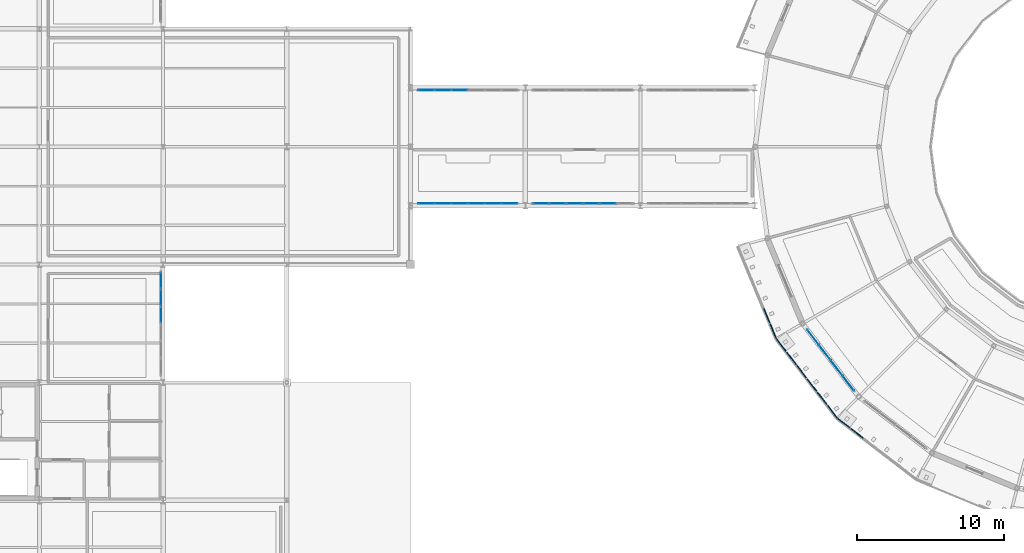
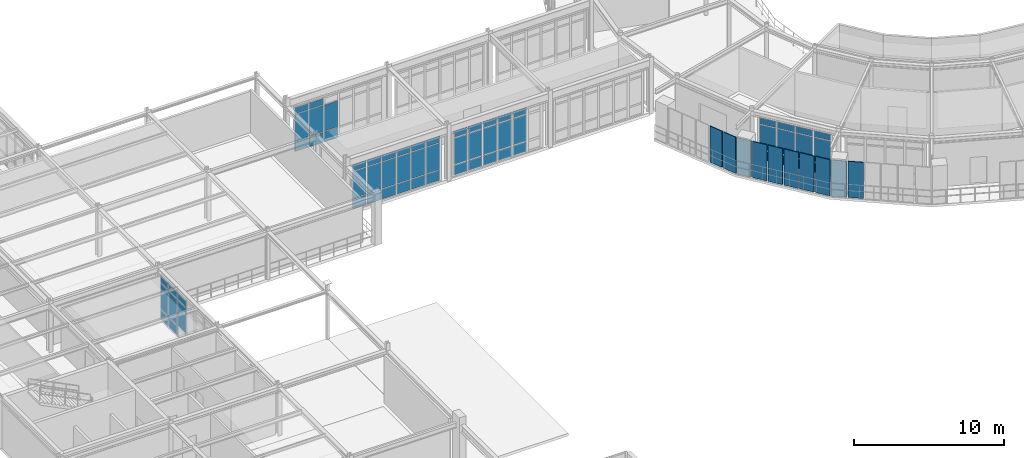
# One storey, part 58 of 90: 71 plates, 5 elements without a shape of their own.
"""IFC4 building model written with IfcOpenShell, lengths in metres."""

from ifc_helpers import new_model, si_unit, derived_unit, direction, frame, origin, origin_2d, place, context, subcontext, project, spatial, rectangle, extrude, material, layer, layer_set, type_object, element, aggregate, save


model = new_model("IFC4")

# Units and contexts
model_context = context("Model", 3, precision=1e-05, world=origin(), true_north=direction((0.0, 1.0)))
body_context = subcontext(model_context, "Body", "Model", "MODEL_VIEW")
ifc_project = project(units=[si_unit("LENGTHUNIT", "METRE"), si_unit("AREAUNIT", "SQUARE_METRE"), si_unit("VOLUMEUNIT", "CUBIC_METRE"), si_unit("PLANEANGLEUNIT", "RADIAN"), si_unit("MASSUNIT", "GRAM", prefix="KILO"), derived_unit("THERMALTRANSMITTANCEUNIT", [(si_unit("POWERUNIT", "WATT"), 1), (si_unit("AREAUNIT", "SQUARE_METRE"), -1), (si_unit("THERMODYNAMICTEMPERATUREUNIT", "KELVIN"), -1)])], contexts=[model_context])

# Site, building, storey
site_placement = place(None, origin())
site = spatial("IfcSite", under=ifc_project, at=site_placement, CompositionType="ELEMENT")
building_placement = place(site_placement, origin())
building = spatial("IfcBuilding", under=site, at=building_placement, Name="Yasenodar Specialist Clinic", CompositionType="ELEMENT")
storey_placement = place(building_placement, frame((0.0, 0.0, 9.0)))
storey = spatial("IfcBuildingStorey", under=building, at=storey_placement, Name="L02", CompositionType="ELEMENT", Elevation=9.0)

# Curtain wall, plates
ifc_material_1 = material(Name="Bronze Anodized Aluminium and Triple Low-E Glass", Category="aluminium")
ifc_layer_1 = layer(ifc_material_1, 0.19091796875)
ifc_layer_set_1 = layer_set([ifc_layer_1], Name="Bronze Anodized Aluminium and Triple Low-E Glass")
curtain_wall_type_1 = type_object("IfcCurtainWallType", Name="CW-SYS-03", PredefinedType="USERDEFINED", material=ifc_layer_set_1)
curtain_wall_1_placement = place(storey_placement, origin())
curtain_wall_1 = element("IfcCurtainWall", 1, at=curtain_wall_1_placement, inside=storey, type_object=curtain_wall_type_1, Name="L02 Unitised Curtain Wall 108", ObjectType="UNITISED CURTAIN WALL", PredefinedType="USERDEFINED")
ifc_material_2 = material(Name="Triple Low-E Argon Glazing", Category="glass")
ifc_layer_2 = layer(ifc_material_2, 0.028076171875)
ifc_layer_set_2 = layer_set([ifc_layer_2], Name="Triple Low-E Argon Glazing")
plate_type_1 = type_object("IfcPlateType", Name="CW-PAN-1", PredefinedType="CURTAIN_PANEL", material=ifc_layer_set_2)
plate_1_placement = place(storey_placement, frame((40.3349609375, 54.949951171875, 0.06005859375), z_axis=(0.0, 0.0, 1.0), x_axis=(-1.0, 0.0, 0.0)))
plate_1 = element("IfcPlate", 2, at=plate_1_placement, type_object=plate_type_1, Name="CW-03 panel 1.1", PredefinedType="CURTAIN_PANEL", context=body_context, shape_type="SweptSolid", body=[
    extrude(rectangle(XDim=1.050048828125, YDim=0.028076171875, at=origin_2d()), origin(), (0.0, 0.0, 1.0), 0.81005859375),
])
plate_2_placement = place(storey_placement, frame((40.3349609375, 54.949951171875, 0.929931640625), z_axis=(0.0, 0.0, 1.0), x_axis=(-1.0, 0.0, 0.0)))
plate_2 = element("IfcPlate", 3, at=plate_2_placement, type_object=plate_type_1, Name="CW-03 panel 1.2", PredefinedType="CURTAIN_PANEL", context=body_context, shape_type="SweptSolid", body=[
    extrude(rectangle(XDim=1.050048828125, YDim=0.028076171875, at=origin_2d()), origin(), (0.0, 0.0, 1.0), 2.14306640625),
])
plate_3_placement = place(storey_placement, frame((40.3349609375, 54.949951171875, 3.1328125), z_axis=(0.0, 0.0, 1.0), x_axis=(-1.0, 0.0, 0.0)))
plate_3 = element("IfcPlate", 4, at=plate_3_placement, type_object=plate_type_1, Name="CW-03 panel 1.3", PredefinedType="CURTAIN_PANEL", context=body_context, shape_type="SweptSolid", body=[
    extrude(rectangle(XDim=1.050048828125, YDim=0.028076171875, at=origin_2d()), origin(), (0.0, 0.0, 1.0), 0.510009765625),
])
plate_4_placement = place(storey_placement, frame((39.2099609375, 54.949951171875, 0.06005859375), z_axis=(0.0, 0.0, 1.0), x_axis=(-1.0, 0.0, 0.0)))
plate_4 = element("IfcPlate", 5, at=plate_4_placement, type_object=plate_type_1, Name="CW-03 panel 2.1", PredefinedType="CURTAIN_PANEL", context=body_context, shape_type="SweptSolid", body=[
    extrude(rectangle(XDim=1.080078125, YDim=0.028076171875, at=origin_2d()), origin(), (0.0, 0.0, 1.0), 0.81005859375),
])
plate_5_placement = place(storey_placement, frame((39.2099609375, 54.949951171875, 0.929931640625), z_axis=(0.0, 0.0, 1.0), x_axis=(-1.0, 0.0, 0.0)))
plate_5 = element("IfcPlate", 6, at=plate_5_placement, type_object=plate_type_1, Name="CW-03 panel 2.2", PredefinedType="CURTAIN_PANEL", context=body_context, shape_type="SweptSolid", body=[
    extrude(rectangle(XDim=1.080078125, YDim=0.028076171875, at=origin_2d()), origin(), (0.0, 0.0, 1.0), 2.14306640625),
])
plate_6_placement = place(storey_placement, frame((39.2099609375, 54.949951171875, 3.1328125), z_axis=(0.0, 0.0, 1.0), x_axis=(-1.0, 0.0, 0.0)))
plate_6 = element("IfcPlate", 7, at=plate_6_placement, type_object=plate_type_1, Name="CW-03 panel 2.3", PredefinedType="CURTAIN_PANEL", context=body_context, shape_type="SweptSolid", body=[
    extrude(rectangle(XDim=1.080078125, YDim=0.028076171875, at=origin_2d()), origin(), (0.0, 0.0, 1.0), 0.510009765625),
])
plate_7_placement = place(storey_placement, frame((38.070068359375, 54.949951171875, 0.06005859375), z_axis=(0.0, 0.0, 1.0), x_axis=(-1.0, 0.0, 0.0)))
plate_7 = element("IfcPlate", 8, at=plate_7_placement, type_object=plate_type_1, Name="CW-03 panel 3.1", PredefinedType="CURTAIN_PANEL", context=body_context, shape_type="SweptSolid", body=[
    extrude(rectangle(XDim=1.080078125, YDim=0.028076171875, at=origin_2d()), origin(), (0.0, 0.0, 1.0), 0.81005859375),
])
plate_8_placement = place(storey_placement, frame((38.070068359375, 54.949951171875, 0.929931640625), z_axis=(0.0, 0.0, 1.0), x_axis=(-1.0, 0.0, 0.0)))
plate_8 = element("IfcPlate", 9, at=plate_8_placement, type_object=plate_type_1, Name="CW-03 panel 3.2", PredefinedType="CURTAIN_PANEL", context=body_context, shape_type="SweptSolid", body=[
    extrude(rectangle(XDim=1.080078125, YDim=0.028076171875, at=origin_2d()), origin(), (0.0, 0.0, 1.0), 2.14306640625),
])
plate_9_placement = place(storey_placement, frame((38.070068359375, 54.949951171875, 3.1328125), z_axis=(0.0, 0.0, 1.0), x_axis=(-1.0, 0.0, 0.0)))
plate_9 = element("IfcPlate", 10, at=plate_9_placement, type_object=plate_type_1, Name="CW-03 panel 3.3", PredefinedType="CURTAIN_PANEL", context=body_context, shape_type="SweptSolid", body=[
    extrude(rectangle(XDim=1.080078125, YDim=0.028076171875, at=origin_2d()), origin(), (0.0, 0.0, 1.0), 0.510009765625),
])
plate_10_placement = place(storey_placement, frame((36.929931640625, 54.949951171875, 0.06005859375), z_axis=(0.0, 0.0, 1.0), x_axis=(-1.0, 0.0, 0.0)))
plate_10 = element("IfcPlate", 11, at=plate_10_placement, type_object=plate_type_1, Name="CW-03 panel 4.1", PredefinedType="CURTAIN_PANEL", context=body_context, shape_type="SweptSolid", body=[
    extrude(rectangle(XDim=1.080078125, YDim=0.028076171875, at=origin_2d()), origin(), (0.0, 0.0, 1.0), 0.81005859375),
])
plate_11_placement = place(storey_placement, frame((36.929931640625, 54.949951171875, 0.929931640625), z_axis=(0.0, 0.0, 1.0), x_axis=(-1.0, 0.0, 0.0)))
plate_11 = element("IfcPlate", 12, at=plate_11_placement, type_object=plate_type_1, Name="CW-03 panel 4.2", PredefinedType="CURTAIN_PANEL", context=body_context, shape_type="SweptSolid", body=[
    extrude(rectangle(XDim=1.080078125, YDim=0.028076171875, at=origin_2d()), origin(), (0.0, 0.0, 1.0), 2.14306640625),
])
plate_12_placement = place(storey_placement, frame((36.929931640625, 54.949951171875, 3.1328125), z_axis=(0.0, 0.0, 1.0), x_axis=(-1.0, 0.0, 0.0)))
plate_12 = element("IfcPlate", 13, at=plate_12_placement, type_object=plate_type_1, Name="CW-03 panel 4.3", PredefinedType="CURTAIN_PANEL", context=body_context, shape_type="SweptSolid", body=[
    extrude(rectangle(XDim=1.080078125, YDim=0.028076171875, at=origin_2d()), origin(), (0.0, 0.0, 1.0), 0.510009765625),
])
plate_13_placement = place(storey_placement, frame((35.7900390625, 54.949951171875, 0.06005859375), z_axis=(0.0, 0.0, 1.0), x_axis=(-1.0, 0.0, 0.0)))
plate_13 = element("IfcPlate", 14, at=plate_13_placement, type_object=plate_type_1, Name="CW-03 panel 5.1", PredefinedType="CURTAIN_PANEL", context=body_context, shape_type="SweptSolid", body=[
    extrude(rectangle(XDim=1.080078125, YDim=0.028076171875, at=origin_2d()), origin(), (0.0, 0.0, 1.0), 0.81005859375),
])
plate_14_placement = place(storey_placement, frame((35.7900390625, 54.949951171875, 0.929931640625), z_axis=(0.0, 0.0, 1.0), x_axis=(-1.0, 0.0, 0.0)))
plate_14 = element("IfcPlate", 15, at=plate_14_placement, type_object=plate_type_1, Name="CW-03 panel 5.2", PredefinedType="CURTAIN_PANEL", context=body_context, shape_type="SweptSolid", body=[
    extrude(rectangle(XDim=1.080078125, YDim=0.028076171875, at=origin_2d()), origin(), (0.0, 0.0, 1.0), 2.14306640625),
])
plate_15_placement = place(storey_placement, frame((35.7900390625, 54.949951171875, 3.1328125), z_axis=(0.0, 0.0, 1.0), x_axis=(-1.0, 0.0, 0.0)))
plate_15 = element("IfcPlate", 16, at=plate_15_placement, type_object=plate_type_1, Name="CW-03 panel 5.3", PredefinedType="CURTAIN_PANEL", context=body_context, shape_type="SweptSolid", body=[
    extrude(rectangle(XDim=1.080078125, YDim=0.028076171875, at=origin_2d()), origin(), (0.0, 0.0, 1.0), 0.510009765625),
])
plate_16_placement = place(storey_placement, frame((34.6650390625, 54.949951171875, 0.06005859375), z_axis=(0.0, 0.0, 1.0), x_axis=(-1.0, 0.0, 0.0)))
plate_16 = element("IfcPlate", 17, at=plate_16_placement, type_object=plate_type_1, Name="CW-03 panel 6.1", PredefinedType="CURTAIN_PANEL", context=body_context, shape_type="SweptSolid", body=[
    extrude(rectangle(XDim=1.050048828125, YDim=0.028076171875, at=origin_2d()), origin(), (0.0, 0.0, 1.0), 0.81005859375),
])
plate_17_placement = place(storey_placement, frame((34.6650390625, 54.949951171875, 0.929931640625), z_axis=(0.0, 0.0, 1.0), x_axis=(-1.0, 0.0, 0.0)))
plate_17 = element("IfcPlate", 18, at=plate_17_placement, type_object=plate_type_1, Name="CW-03 panel 6.2", PredefinedType="CURTAIN_PANEL", context=body_context, shape_type="SweptSolid", body=[
    extrude(rectangle(XDim=1.050048828125, YDim=0.028076171875, at=origin_2d()), origin(), (0.0, 0.0, 1.0), 2.14306640625),
])
plate_18_placement = place(storey_placement, frame((34.6650390625, 54.949951171875, 3.1328125), z_axis=(0.0, 0.0, 1.0), x_axis=(-1.0, 0.0, 0.0)))
plate_18 = element("IfcPlate", 19, at=plate_18_placement, type_object=plate_type_1, Name="CW-03 panel 6.3", PredefinedType="CURTAIN_PANEL", context=body_context, shape_type="SweptSolid", body=[
    extrude(rectangle(XDim=1.050048828125, YDim=0.028076171875, at=origin_2d()), origin(), (0.0, 0.0, 1.0), 0.510009765625),
])
aggregate(curtain_wall_1, [plate_1, plate_2, plate_3, plate_4, plate_5, plate_6, plate_7, plate_8, plate_9, plate_10, plate_11, plate_12, plate_13, plate_14, plate_15, plate_16, plate_17, plate_18])

ifc_layer_3 = layer(ifc_material_1, 0.1669921875)
ifc_layer_set_3 = layer_set([ifc_layer_3], Name="Bronze Anodized Aluminium and Triple Low-E Glass")
curtain_wall_type_2 = type_object("IfcCurtainWallType", Name="CW-SYS-01", PredefinedType="USERDEFINED", material=ifc_layer_set_3)
curtain_wall_2_placement = place(storey_placement, origin())
curtain_wall_2 = element("IfcCurtainWall", 20, at=curtain_wall_2_placement, inside=storey, type_object=curtain_wall_type_2, Name="L02 Unitised Curtain Wall 033", ObjectType="UNITISED CURTAIN WALL", PredefinedType="USERDEFINED")
ifc_layer_4 = layer(ifc_material_2, 0.033935546875)
ifc_layer_set_4 = layer_set([ifc_layer_4], Name="Triple Low-E Argon Glazing")
plate_type_2 = type_object("IfcPlateType", Name="CW-PAN-2", PredefinedType="CURTAIN_PANEL", material=ifc_layer_set_4)
plate_19_placement = place(storey_placement, frame((63.324462890625, 42.748291015625, 0.06005859375), z_axis=(0.0, 0.0, 1.0), x_axis=(-0.608752021844, 0.793360558574, 0.0)))
plate_19 = element("IfcPlate", 21, at=plate_19_placement, type_object=plate_type_2, Name="CW-01 panel 1.1", PredefinedType="CURTAIN_PANEL", context=body_context, shape_type="SweptSolid", body=[
    extrude(rectangle(XDim=1.236328125, YDim=0.033935546875, at=origin_2d()), origin(), (0.0, 0.0, 1.0), 0.81005859375),
])
plate_20_placement = place(storey_placement, frame((63.324462890625, 42.748291015625, 0.929931640625), z_axis=(0.0, 0.0, 1.0), x_axis=(-0.608752021844, 0.793360558574, 0.0)))
plate_20 = element("IfcPlate", 22, at=plate_20_placement, type_object=plate_type_2, Name="CW-01 panel 1.2", PredefinedType="CURTAIN_PANEL", context=body_context, shape_type="SweptSolid", body=[
    extrude(rectangle(XDim=1.236328125, YDim=0.033935546875, at=origin_2d()), origin(), (0.0, 0.0, 1.0), 1.97802734375),
])
plate_21_placement = place(storey_placement, frame((63.324462890625, 42.748291015625, 2.9677734375), z_axis=(0.0, 0.0, 1.0), x_axis=(-0.608752021844, 0.793360558574, 0.0)))
plate_21 = element("IfcPlate", 23, at=plate_21_placement, type_object=plate_type_2, Name="CW-01 panel 1.3", PredefinedType="CURTAIN_PANEL", context=body_context, shape_type="SweptSolid", body=[
    extrude(rectangle(XDim=1.236328125, YDim=0.033935546875, at=origin_2d()), origin(), (0.0, 0.0, 1.0), 0.510009765625),
])
plate_22_placement = place(storey_placement, frame((62.526123046875, 43.78857421875, 0.06005859375), z_axis=(0.0, 0.0, 1.0), x_axis=(-0.608752021844, 0.793360558574, 0.0)))
plate_22 = element("IfcPlate", 24, at=plate_22_placement, type_object=plate_type_2, Name="CW-01 panel 2.1", PredefinedType="CURTAIN_PANEL", context=body_context, shape_type="SweptSolid", body=[
    extrude(rectangle(XDim=1.266357421875, YDim=0.033935546875, at=origin_2d()), origin(), (0.0, 0.0, 1.0), 0.81005859375),
])
plate_23_placement = place(storey_placement, frame((62.526123046875, 43.78857421875, 0.929931640625), z_axis=(0.0, 0.0, 1.0), x_axis=(-0.608752021844, 0.793360558574, 0.0)))
plate_23 = element("IfcPlate", 25, at=plate_23_placement, type_object=plate_type_2, Name="CW-01 panel 2.2", PredefinedType="CURTAIN_PANEL", context=body_context, shape_type="SweptSolid", body=[
    extrude(rectangle(XDim=1.266357421875, YDim=0.033935546875, at=origin_2d()), origin(), (0.0, 0.0, 1.0), 1.97802734375),
])
plate_24_placement = place(storey_placement, frame((62.526123046875, 43.78857421875, 2.9677734375), z_axis=(0.0, 0.0, 1.0), x_axis=(-0.608752021844, 0.793360558574, 0.0)))
plate_24 = element("IfcPlate", 26, at=plate_24_placement, type_object=plate_type_2, Name="CW-01 panel 2.3", PredefinedType="CURTAIN_PANEL", context=body_context, shape_type="SweptSolid", body=[
    extrude(rectangle(XDim=1.266357421875, YDim=0.033935546875, at=origin_2d()), origin(), (0.0, 0.0, 1.0), 0.510009765625),
])
plate_25_placement = place(storey_placement, frame((61.71875, 44.8408203125, 0.06005859375), z_axis=(0.0, 0.0, 1.0), x_axis=(-0.608752021844, 0.793360558574, 0.0)))
plate_25 = element("IfcPlate", 27, at=plate_25_placement, type_object=plate_type_2, Name="CW-01 panel 3.1", PredefinedType="CURTAIN_PANEL", context=body_context, shape_type="SweptSolid", body=[
    extrude(rectangle(XDim=1.266357421875, YDim=0.033935546875, at=origin_2d()), origin(), (0.0, 0.0, 1.0), 0.81005859375),
])
plate_26_placement = place(storey_placement, frame((61.71875, 44.8408203125, 0.929931640625), z_axis=(0.0, 0.0, 1.0), x_axis=(-0.608752021844, 0.793360558574, 0.0)))
plate_26 = element("IfcPlate", 28, at=plate_26_placement, type_object=plate_type_2, Name="CW-01 panel 3.2", PredefinedType="CURTAIN_PANEL", context=body_context, shape_type="SweptSolid", body=[
    extrude(rectangle(XDim=1.266357421875, YDim=0.033935546875, at=origin_2d()), origin(), (0.0, 0.0, 1.0), 1.97802734375),
])
plate_27_placement = place(storey_placement, frame((61.71875, 44.8408203125, 2.9677734375), z_axis=(0.0, 0.0, 1.0), x_axis=(-0.608752021844, 0.793360558574, 0.0)))
plate_27 = element("IfcPlate", 29, at=plate_27_placement, type_object=plate_type_2, Name="CW-01 panel 3.3", PredefinedType="CURTAIN_PANEL", context=body_context, shape_type="SweptSolid", body=[
    extrude(rectangle(XDim=1.266357421875, YDim=0.033935546875, at=origin_2d()), origin(), (0.0, 0.0, 1.0), 0.510009765625),
])
plate_28_placement = place(storey_placement, frame((60.92041015625, 45.881103515625, 0.06005859375), z_axis=(0.0, 0.0, 1.0), x_axis=(-0.608752021844, 0.793360558574, 0.0)))
plate_28 = element("IfcPlate", 30, at=plate_28_placement, type_object=plate_type_2, Name="CW-01 panel 4.1", PredefinedType="CURTAIN_PANEL", context=body_context, shape_type="SweptSolid", body=[
    extrude(rectangle(XDim=1.236328125, YDim=0.033935546875, at=origin_2d()), origin(), (0.0, 0.0, 1.0), 0.81005859375),
])
plate_29_placement = place(storey_placement, frame((60.92041015625, 45.881103515625, 0.929931640625), z_axis=(0.0, 0.0, 1.0), x_axis=(-0.608752021844, 0.793360558574, 0.0)))
plate_29 = element("IfcPlate", 31, at=plate_29_placement, type_object=plate_type_2, Name="CW-01 panel 4.2", PredefinedType="CURTAIN_PANEL", context=body_context, shape_type="SweptSolid", body=[
    extrude(rectangle(XDim=1.236328125, YDim=0.033935546875, at=origin_2d()), origin(), (0.0, 0.0, 1.0), 1.97802734375),
])
plate_30_placement = place(storey_placement, frame((60.92041015625, 45.881103515625, 2.9677734375), z_axis=(0.0, 0.0, 1.0), x_axis=(-0.608752021844, 0.793360558574, 0.0)))
plate_30 = element("IfcPlate", 32, at=plate_30_placement, type_object=plate_type_2, Name="CW-01 panel 4.3", PredefinedType="CURTAIN_PANEL", context=body_context, shape_type="SweptSolid", body=[
    extrude(rectangle(XDim=1.236328125, YDim=0.033935546875, at=origin_2d()), origin(), (0.0, 0.0, 1.0), 0.510009765625),
])
aggregate(curtain_wall_2, [plate_19, plate_20, plate_21, plate_22, plate_23, plate_24, plate_25, plate_26, plate_27, plate_28, plate_29, plate_30])

curtain_wall_3_placement = place(storey_placement, origin())
curtain_wall_3 = element("IfcCurtainWall", 33, at=curtain_wall_3_placement, inside=storey, type_object=curtain_wall_type_1, Name="L02 Unitised Curtain Wall 110", ObjectType="UNITISED CURTAIN WALL", PredefinedType="USERDEFINED")
ifc_layer_5 = layer(ifc_material_2, 0.0400390625)
ifc_layer_set_5 = layer_set([ifc_layer_5], Name="Triple Low-E Argon Glazing")
plate_type_3 = type_object("IfcPlateType", Name="CW-PAN-3", PredefinedType="CURTAIN_PANEL", material=ifc_layer_set_5)
plate_31_placement = place(storey_placement, frame((47.010009765625, 54.949951171875, 0.074951171875), z_axis=(0.0, 0.0, 1.0), x_axis=(-1.0, 0.0, 0.0)))
plate_31 = element("IfcPlate", 34, at=plate_31_placement, type_object=plate_type_3, Name="CW-03 panel 2.1", PredefinedType="CURTAIN_PANEL", context=body_context, shape_type="SweptSolid", body=[
    extrude(rectangle(XDim=1.06494140625, YDim=0.0400390625, at=origin_2d()), origin(), (0.0, 0.0, 1.0), 0.78759765625),
])
plate_32_placement = place(storey_placement, frame((47.010009765625, 54.949951171875, 0.9375), z_axis=(0.0, 0.0, 1.0), x_axis=(-1.0, 0.0, 0.0)))
plate_32 = element("IfcPlate", 35, at=plate_32_placement, type_object=plate_type_3, Name="CW-03 panel 2.2", PredefinedType="CURTAIN_PANEL", context=body_context, shape_type="SweptSolid", body=[
    extrude(rectangle(XDim=1.06494140625, YDim=0.0400390625, at=origin_2d()), origin(), (0.0, 0.0, 1.0), 2.1279296875),
])
plate_33_placement = place(storey_placement, frame((47.010009765625, 54.949951171875, 3.140625), z_axis=(0.0, 0.0, 1.0), x_axis=(-1.0, 0.0, 0.0)))
plate_33 = element("IfcPlate", 36, at=plate_33_placement, type_object=plate_type_3, Name="CW-03 panel 2.3", PredefinedType="CURTAIN_PANEL", context=body_context, shape_type="SweptSolid", body=[
    extrude(rectangle(XDim=1.06494140625, YDim=0.0400390625, at=origin_2d()), origin(), (0.0, 0.0, 1.0), 0.487548828125),
])
plate_34_placement = place(storey_placement, frame((45.8701171875, 54.949951171875, 0.074951171875), z_axis=(0.0, 0.0, 1.0), x_axis=(-1.0, 0.0, 0.0)))
plate_34 = element("IfcPlate", 37, at=plate_34_placement, type_object=plate_type_3, Name="CW-03 panel 3.1", PredefinedType="CURTAIN_PANEL", context=body_context, shape_type="SweptSolid", body=[
    extrude(rectangle(XDim=1.06494140625, YDim=0.0400390625, at=origin_2d()), origin(), (0.0, 0.0, 1.0), 0.78759765625),
])
plate_35_placement = place(storey_placement, frame((45.8701171875, 54.949951171875, 0.9375), z_axis=(0.0, 0.0, 1.0), x_axis=(-1.0, 0.0, 0.0)))
plate_35 = element("IfcPlate", 38, at=plate_35_placement, type_object=plate_type_3, Name="CW-03 panel 3.2", PredefinedType="CURTAIN_PANEL", context=body_context, shape_type="SweptSolid", body=[
    extrude(rectangle(XDim=1.06494140625, YDim=0.0400390625, at=origin_2d()), origin(), (0.0, 0.0, 1.0), 2.1279296875),
])
plate_36_placement = place(storey_placement, frame((45.8701171875, 54.949951171875, 3.140625), z_axis=(0.0, 0.0, 1.0), x_axis=(-1.0, 0.0, 0.0)))
plate_36 = element("IfcPlate", 39, at=plate_36_placement, type_object=plate_type_3, Name="CW-03 panel 3.3", PredefinedType="CURTAIN_PANEL", context=body_context, shape_type="SweptSolid", body=[
    extrude(rectangle(XDim=1.06494140625, YDim=0.0400390625, at=origin_2d()), origin(), (0.0, 0.0, 1.0), 0.487548828125),
])
plate_37_placement = place(storey_placement, frame((44.72998046875, 54.949951171875, 0.074951171875), z_axis=(0.0, 0.0, 1.0), x_axis=(-1.0, 0.0, 0.0)))
plate_37 = element("IfcPlate", 40, at=plate_37_placement, type_object=plate_type_3, Name="CW-03 panel 4.1", PredefinedType="CURTAIN_PANEL", context=body_context, shape_type="SweptSolid", body=[
    extrude(rectangle(XDim=1.06494140625, YDim=0.0400390625, at=origin_2d()), origin(), (0.0, 0.0, 1.0), 0.78759765625),
])
plate_38_placement = place(storey_placement, frame((44.72998046875, 54.949951171875, 0.9375), z_axis=(0.0, 0.0, 1.0), x_axis=(-1.0, 0.0, 0.0)))
plate_38 = element("IfcPlate", 41, at=plate_38_placement, type_object=plate_type_3, Name="CW-03 panel 4.2", PredefinedType="CURTAIN_PANEL", context=body_context, shape_type="SweptSolid", body=[
    extrude(rectangle(XDim=1.06494140625, YDim=0.0400390625, at=origin_2d()), origin(), (0.0, 0.0, 1.0), 2.1279296875),
])
plate_39_placement = place(storey_placement, frame((44.72998046875, 54.949951171875, 3.140625), z_axis=(0.0, 0.0, 1.0), x_axis=(-1.0, 0.0, 0.0)))
plate_39 = element("IfcPlate", 42, at=plate_39_placement, type_object=plate_type_3, Name="CW-03 panel 4.3", PredefinedType="CURTAIN_PANEL", context=body_context, shape_type="SweptSolid", body=[
    extrude(rectangle(XDim=1.06494140625, YDim=0.0400390625, at=origin_2d()), origin(), (0.0, 0.0, 1.0), 0.487548828125),
])
plate_40_placement = place(storey_placement, frame((43.590087890625, 54.949951171875, 0.074951171875), z_axis=(0.0, 0.0, 1.0), x_axis=(-1.0, 0.0, 0.0)))
plate_40 = element("IfcPlate", 43, at=plate_40_placement, type_object=plate_type_3, Name="CW-03 panel 5.1", PredefinedType="CURTAIN_PANEL", context=body_context, shape_type="SweptSolid", body=[
    extrude(rectangle(XDim=1.06494140625, YDim=0.0400390625, at=origin_2d()), origin(), (0.0, 0.0, 1.0), 0.78759765625),
])
plate_41_placement = place(storey_placement, frame((43.590087890625, 54.949951171875, 0.9375), z_axis=(0.0, 0.0, 1.0), x_axis=(-1.0, 0.0, 0.0)))
plate_41 = element("IfcPlate", 44, at=plate_41_placement, type_object=plate_type_3, Name="CW-03 panel 5.2", PredefinedType="CURTAIN_PANEL", context=body_context, shape_type="SweptSolid", body=[
    extrude(rectangle(XDim=1.06494140625, YDim=0.0400390625, at=origin_2d()), origin(), (0.0, 0.0, 1.0), 2.1279296875),
])
plate_42_placement = place(storey_placement, frame((43.590087890625, 54.949951171875, 3.140625), z_axis=(0.0, 0.0, 1.0), x_axis=(-1.0, 0.0, 0.0)))
plate_42 = element("IfcPlate", 45, at=plate_42_placement, type_object=plate_type_3, Name="CW-03 panel 5.3", PredefinedType="CURTAIN_PANEL", context=body_context, shape_type="SweptSolid", body=[
    extrude(rectangle(XDim=1.06494140625, YDim=0.0400390625, at=origin_2d()), origin(), (0.0, 0.0, 1.0), 0.487548828125),
])
plate_43_placement = place(storey_placement, frame((42.46875, 54.949951171875, 0.074951171875), z_axis=(0.0, 0.0, 1.0), x_axis=(-1.0, 0.0, 0.0)))
plate_43 = element("IfcPlate", 46, at=plate_43_placement, type_object=plate_type_3, Name="CW-03 panel 6.1", PredefinedType="CURTAIN_PANEL", context=body_context, shape_type="SweptSolid", body=[
    extrude(rectangle(XDim=1.027587890625, YDim=0.0400390625, at=origin_2d()), origin(), (0.0, 0.0, 1.0), 0.78759765625),
])
plate_44_placement = place(storey_placement, frame((42.46875, 54.949951171875, 0.9375), z_axis=(0.0, 0.0, 1.0), x_axis=(-1.0, 0.0, 0.0)))
plate_44 = element("IfcPlate", 47, at=plate_44_placement, type_object=plate_type_3, Name="CW-03 panel 6.2", PredefinedType="CURTAIN_PANEL", context=body_context, shape_type="SweptSolid", body=[
    extrude(rectangle(XDim=1.027587890625, YDim=0.0400390625, at=origin_2d()), origin(), (0.0, 0.0, 1.0), 2.1279296875),
])
plate_45_placement = place(storey_placement, frame((42.46875, 54.949951171875, 3.140625), z_axis=(0.0, 0.0, 1.0), x_axis=(-1.0, 0.0, 0.0)))
plate_45 = element("IfcPlate", 48, at=plate_45_placement, type_object=plate_type_3, Name="CW-03 panel 6.3", PredefinedType="CURTAIN_PANEL", context=body_context, shape_type="SweptSolid", body=[
    extrude(rectangle(XDim=1.027587890625, YDim=0.0400390625, at=origin_2d()), origin(), (0.0, 0.0, 1.0), 0.487548828125),
])
aggregate(curtain_wall_3, [plate_31, plate_32, plate_33, plate_34, plate_35, plate_36, plate_37, plate_38, plate_39, plate_40, plate_41, plate_42, plate_43, plate_44, plate_45])

ifc_layer_6 = layer(ifc_material_1, 0.202880859375)
ifc_layer_set_6 = layer_set([ifc_layer_6], Name="Bronze Anodized Aluminium and Triple Low-E Glass")
curtain_wall_type_3 = type_object("IfcCurtainWallType", Name="CW-SYS-04", PredefinedType="USERDEFINED", material=ifc_layer_set_6)
curtain_wall_4_placement = place(storey_placement, origin())
curtain_wall_4 = element("IfcCurtainWall", 49, at=curtain_wall_4_placement, inside=storey, type_object=curtain_wall_type_3, Name="L02 Unitised Curtain Wall 130", ObjectType="UNITISED CURTAIN WALL", PredefinedType="USERDEFINED")
plate_46_placement = place(storey_placement, frame((16.64990234375, 49.714599609375, 0.074951171875), z_axis=(0.0, 0.0, 1.0), x_axis=(0.0, -1.0, 0.0)))
plate_46 = element("IfcPlate", 50, at=plate_46_placement, type_object=plate_type_3, Name="CW-04 panel 1.1", PredefinedType="CURTAIN_PANEL", context=body_context, shape_type="SweptSolid", body=[
    extrude(rectangle(XDim=1.060791015625, YDim=0.0400390625, at=origin_2d()), origin(), (0.0, 0.0, 1.0), 0.78759765625),
])
plate_47_placement = place(storey_placement, frame((16.64990234375, 49.714599609375, 0.9375), z_axis=(0.0, 0.0, 1.0), x_axis=(0.0, -1.0, 0.0)))
plate_47 = element("IfcPlate", 51, at=plate_47_placement, type_object=plate_type_3, Name="CW-04 panel 1.2", PredefinedType="CURTAIN_PANEL", context=body_context, shape_type="SweptSolid", body=[
    extrude(rectangle(XDim=1.060791015625, YDim=0.0400390625, at=origin_2d()), origin(), (0.0, 0.0, 1.0), 2.072998046875),
])
plate_48_placement = place(storey_placement, frame((16.64990234375, 49.714599609375, 3.08544921875), z_axis=(0.0, 0.0, 1.0), x_axis=(0.0, -1.0, 0.0)))
plate_48 = element("IfcPlate", 52, at=plate_48_placement, type_object=plate_type_3, Name="CW-04 panel 1.3", PredefinedType="CURTAIN_PANEL", context=body_context, shape_type="SweptSolid", body=[
    extrude(rectangle(XDim=1.060791015625, YDim=0.0400390625, at=origin_2d()), origin(), (0.0, 0.0, 1.0), 0.487548828125),
])
plate_49_placement = place(storey_placement, frame((16.64990234375, 48.56005859375, 0.074951171875), z_axis=(0.0, 0.0, 1.0), x_axis=(0.0, -1.0, 0.0)))
plate_49 = element("IfcPlate", 53, at=plate_49_placement, type_object=plate_type_3, Name="CW-04 panel 2.1", PredefinedType="CURTAIN_PANEL", context=body_context, shape_type="SweptSolid", body=[
    extrude(rectangle(XDim=1.098388671875, YDim=0.0400390625, at=origin_2d()), origin(), (0.0, 0.0, 1.0), 0.78759765625),
])
plate_50_placement = place(storey_placement, frame((16.64990234375, 48.56005859375, 0.9375), z_axis=(0.0, 0.0, 1.0), x_axis=(0.0, -1.0, 0.0)))
plate_50 = element("IfcPlate", 54, at=plate_50_placement, type_object=plate_type_3, Name="CW-04 panel 2.2", PredefinedType="CURTAIN_PANEL", context=body_context, shape_type="SweptSolid", body=[
    extrude(rectangle(XDim=1.098388671875, YDim=0.0400390625, at=origin_2d()), origin(), (0.0, 0.0, 1.0), 2.072998046875),
])
plate_51_placement = place(storey_placement, frame((16.64990234375, 48.56005859375, 3.08544921875), z_axis=(0.0, 0.0, 1.0), x_axis=(0.0, -1.0, 0.0)))
plate_51 = element("IfcPlate", 55, at=plate_51_placement, type_object=plate_type_3, Name="CW-04 panel 2.3", PredefinedType="CURTAIN_PANEL", context=body_context, shape_type="SweptSolid", body=[
    extrude(rectangle(XDim=1.098388671875, YDim=0.0400390625, at=origin_2d()), origin(), (0.0, 0.0, 1.0), 0.487548828125),
])
plate_52_placement = place(storey_placement, frame((16.64990234375, 47.38671875, 0.9375), z_axis=(0.0, 0.0, 1.0), x_axis=(0.0, -1.0, 0.0)))
plate_52 = element("IfcPlate", 56, at=plate_52_placement, type_object=plate_type_3, Name="CW-04 panel 3.2", PredefinedType="CURTAIN_PANEL", context=body_context, shape_type="SweptSolid", body=[
    extrude(rectangle(XDim=1.098388671875, YDim=0.0400390625, at=origin_2d()), origin(), (0.0, 0.0, 1.0), 2.072998046875),
])
plate_53_placement = place(storey_placement, frame((16.64990234375, 47.38671875, 3.08544921875), z_axis=(0.0, 0.0, 1.0), x_axis=(0.0, -1.0, 0.0)))
plate_53 = element("IfcPlate", 57, at=plate_53_placement, type_object=plate_type_3, Name="CW-04 panel 3.3", PredefinedType="CURTAIN_PANEL", context=body_context, shape_type="SweptSolid", body=[
    extrude(rectangle(XDim=1.098388671875, YDim=0.0400390625, at=origin_2d()), origin(), (0.0, 0.0, 1.0), 0.487548828125),
])
aggregate(curtain_wall_4, [plate_46, plate_47, plate_48, plate_49, plate_50, plate_51, plate_52, plate_53])

curtain_wall_5_placement = place(storey_placement, origin())
curtain_wall_5 = element("IfcCurtainWall", 58, at=curtain_wall_5_placement, inside=storey, type_object=curtain_wall_type_1, Name="L02 Unitised Curtain Wall 107", ObjectType="UNITISED CURTAIN WALL", PredefinedType="USERDEFINED")
ifc_layer_7 = layer(ifc_material_2, 0.0458984375)
ifc_layer_set_7 = layer_set([ifc_layer_7], Name="Triple Low-E Argon Glazing")
plate_type_4 = type_object("IfcPlateType", Name="CW-PAN-4", PredefinedType="CURTAIN_PANEL", material=ifc_layer_set_7)
plate_54_placement = place(storey_placement, frame((34.6650390625, 62.64990234375, 0.06005859375), z_axis=(0.0, 0.0, 1.0), x_axis=(1.0, 0.0, 0.0)))
plate_54 = element("IfcPlate", 59, at=plate_54_placement, type_object=plate_type_4, Name="CW-03 panel 1.1", PredefinedType="CURTAIN_PANEL", context=body_context, shape_type="SweptSolid", body=[
    extrude(rectangle(XDim=1.050048828125, YDim=0.0458984375, at=origin_2d()), origin(), (0.0, 0.0, 1.0), 0.81005859375),
])
plate_55_placement = place(storey_placement, frame((34.6650390625, 62.64990234375, 0.929931640625), z_axis=(0.0, 0.0, 1.0), x_axis=(1.0, 0.0, 0.0)))
plate_55 = element("IfcPlate", 60, at=plate_55_placement, type_object=plate_type_4, Name="CW-03 panel 1.2", PredefinedType="CURTAIN_PANEL", context=body_context, shape_type="SweptSolid", body=[
    extrude(rectangle(XDim=1.050048828125, YDim=0.0458984375, at=origin_2d()), origin(), (0.0, 0.0, 1.0), 2.14306640625),
])
plate_56_placement = place(storey_placement, frame((34.6650390625, 62.64990234375, 3.1328125), z_axis=(0.0, 0.0, 1.0), x_axis=(1.0, 0.0, 0.0)))
plate_56 = element("IfcPlate", 61, at=plate_56_placement, type_object=plate_type_4, Name="CW-03 panel 1.3", PredefinedType="CURTAIN_PANEL", context=body_context, shape_type="SweptSolid", body=[
    extrude(rectangle(XDim=1.050048828125, YDim=0.0458984375, at=origin_2d()), origin(), (0.0, 0.0, 1.0), 0.510009765625),
])
plate_57_placement = place(storey_placement, frame((35.7900390625, 62.64990234375, 0.06005859375), z_axis=(0.0, 0.0, 1.0), x_axis=(1.0, 0.0, 0.0)))
plate_57 = element("IfcPlate", 62, at=plate_57_placement, type_object=plate_type_4, Name="CW-03 panel 2.1", PredefinedType="CURTAIN_PANEL", context=body_context, shape_type="SweptSolid", body=[
    extrude(rectangle(XDim=1.080078125, YDim=0.0458984375, at=origin_2d()), origin(), (0.0, 0.0, 1.0), 0.81005859375),
])
plate_58_placement = place(storey_placement, frame((35.7900390625, 62.64990234375, 0.929931640625), z_axis=(0.0, 0.0, 1.0), x_axis=(1.0, 0.0, 0.0)))
plate_58 = element("IfcPlate", 63, at=plate_58_placement, type_object=plate_type_4, Name="CW-03 panel 2.2", PredefinedType="CURTAIN_PANEL", context=body_context, shape_type="SweptSolid", body=[
    extrude(rectangle(XDim=1.080078125, YDim=0.0458984375, at=origin_2d()), origin(), (0.0, 0.0, 1.0), 2.14306640625),
])
plate_59_placement = place(storey_placement, frame((35.7900390625, 62.64990234375, 3.1328125), z_axis=(0.0, 0.0, 1.0), x_axis=(1.0, 0.0, 0.0)))
plate_59 = element("IfcPlate", 64, at=plate_59_placement, type_object=plate_type_4, Name="CW-03 panel 2.3", PredefinedType="CURTAIN_PANEL", context=body_context, shape_type="SweptSolid", body=[
    extrude(rectangle(XDim=1.080078125, YDim=0.0458984375, at=origin_2d()), origin(), (0.0, 0.0, 1.0), 0.510009765625),
])
plate_60_placement = place(storey_placement, frame((36.929931640625, 62.64990234375, 0.06005859375), z_axis=(0.0, 0.0, 1.0), x_axis=(1.0, 0.0, 0.0)))
plate_60 = element("IfcPlate", 65, at=plate_60_placement, type_object=plate_type_4, Name="CW-03 panel 3.1", PredefinedType="CURTAIN_PANEL", context=body_context, shape_type="SweptSolid", body=[
    extrude(rectangle(XDim=1.080078125, YDim=0.0458984375, at=origin_2d()), origin(), (0.0, 0.0, 1.0), 0.81005859375),
])
plate_61_placement = place(storey_placement, frame((36.929931640625, 62.64990234375, 0.929931640625), z_axis=(0.0, 0.0, 1.0), x_axis=(1.0, 0.0, 0.0)))
plate_61 = element("IfcPlate", 66, at=plate_61_placement, type_object=plate_type_4, Name="CW-03 panel 3.2", PredefinedType="CURTAIN_PANEL", context=body_context, shape_type="SweptSolid", body=[
    extrude(rectangle(XDim=1.080078125, YDim=0.0458984375, at=origin_2d()), origin(), (0.0, 0.0, 1.0), 2.14306640625),
])
aggregate(curtain_wall_5, [plate_54, plate_55, plate_56, plate_57, plate_58, plate_59, plate_60, plate_61])

# Plates
ifc_material_3 = material(Name="Thermally Modified Larch and Bronze Girih Jali Screen")
ifc_layer_8 = layer(ifc_material_3, 0.06494140625)
ifc_layer_set_8 = layer_set([ifc_layer_8], Name="Thermally Modified Larch and Bronze Girih Jali Screen")
plate_type_5 = type_object("IfcPlateType", Name="PL-JALI-850", PredefinedType="USERDEFINED", material=ifc_layer_set_8)
for number, where, z_axis, x_axis, name in (
    (67, (57.78515625, 47.333251953125, 0.0048828125), (0.0, 0.0, 1.0), (0.382686667195, -0.923878192594, 0.0), "L02 Sliding Timber-Bronze Jali Shutter Screen 0161"),
    (68, (58.22119140625, 46.2802734375, 0.0048828125), (0.0, 0.0, 1.0), (0.382686667195, -0.923878192594, 0.0), "L02 Sliding Timber-Bronze Jali Shutter Screen 0162"),
    (69, (58.76806640625, 45.3330078125, 0.0048828125), (0.0, 0.0, 1.0), (0.608764217148, -0.793351200869, 0.0), "L02 Sliding Timber-Bronze Jali Shutter Screen 0163"),
    (70, (59.462158203125, 44.4287109375, 0.0048828125), (0.0, 0.0, 1.0), (0.608764217148, -0.793351200869, 0.0), "L02 Sliding Timber-Bronze Jali Shutter Screen 0164"),
    (71, (60.156005859375, 43.5244140625, 0.0048828125), (0.0, 0.0, 1.0), (0.608764217148, -0.793351200869, 0.0), "L02 Sliding Timber-Bronze Jali Shutter Screen 0165"),
    (72, (60.85009765625, 42.619873046875, 0.0048828125), (0.0, 0.0, 1.0), (0.608764217148, -0.793351200869, 0.0), "L02 Sliding Timber-Bronze Jali Shutter Screen 0166"),
    (73, (61.5439453125, 41.715576171875, 0.0048828125), (0.0, 0.0, 1.0), (0.608764217148, -0.793351200869, 0.0), "L02 Sliding Timber-Bronze Jali Shutter Screen 0167"),
    (74, (62.23779296875, 40.811279296875, 0.0048828125), (0.0, 0.0, 1.0), (0.608764217148, -0.793351200869, 0.0), "L02 Sliding Timber-Bronze Jali Shutter Screen 0168"),
    (75, (63.01123046875, 40.037841796875, 0.0048828125), (0.0, 0.0, 1.0), (0.793351200869, -0.608764217148, 0.0), "L02 Sliding Timber-Bronze Jali Shutter Screen 0169"),
    (76, (63.91552734375, 39.343994140625, 0.0048828125), (0.0, 0.0, 1.0), (0.793351200869, -0.608764217148, 0.0), "L02 Sliding Timber-Bronze Jali Shutter Screen 0170"),
):
    element("IfcPlate", number, at=place(storey_placement, frame(where, z_axis=z_axis, x_axis=x_axis)), inside=storey, type_object=plate_type_5, Name=name, ObjectType="SCREEN_PANEL", PredefinedType="USERDEFINED", context=body_context, shape_type="SweptSolid", body=[
        extrude(rectangle(XDim=1.0400390625, YDim=0.06494140625, at=origin_2d()), origin(), (0.0, 0.0, 1.0), 2.949951171875),
    ])

save(model, "model.ifc")
